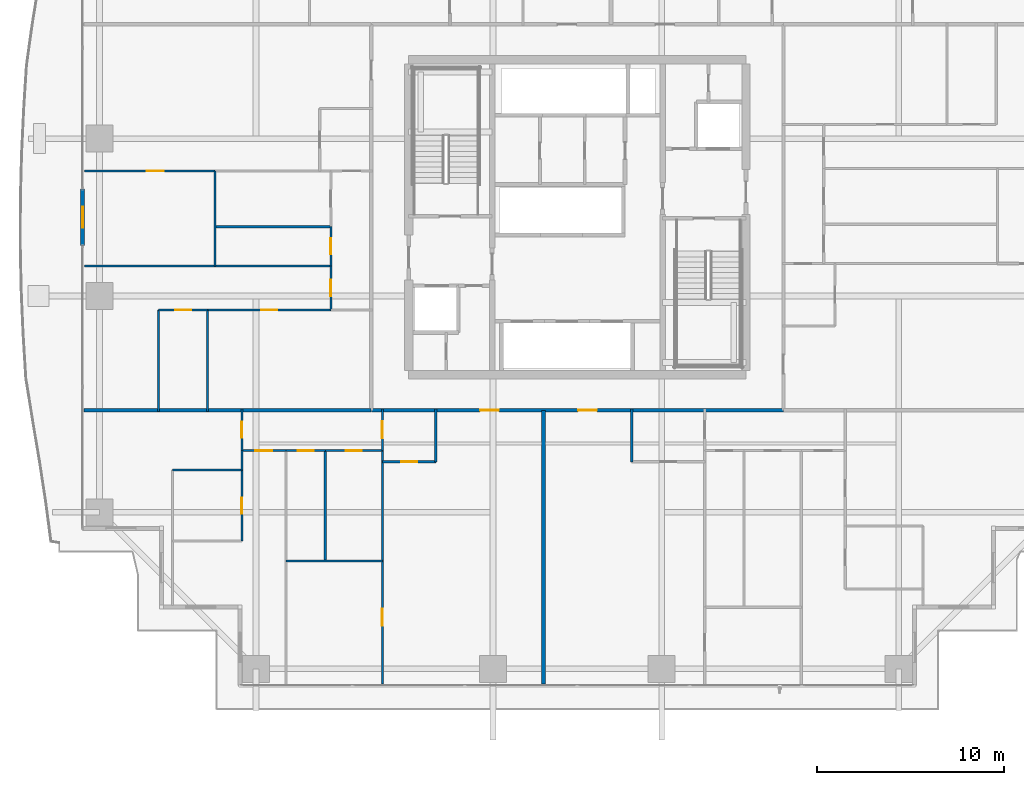
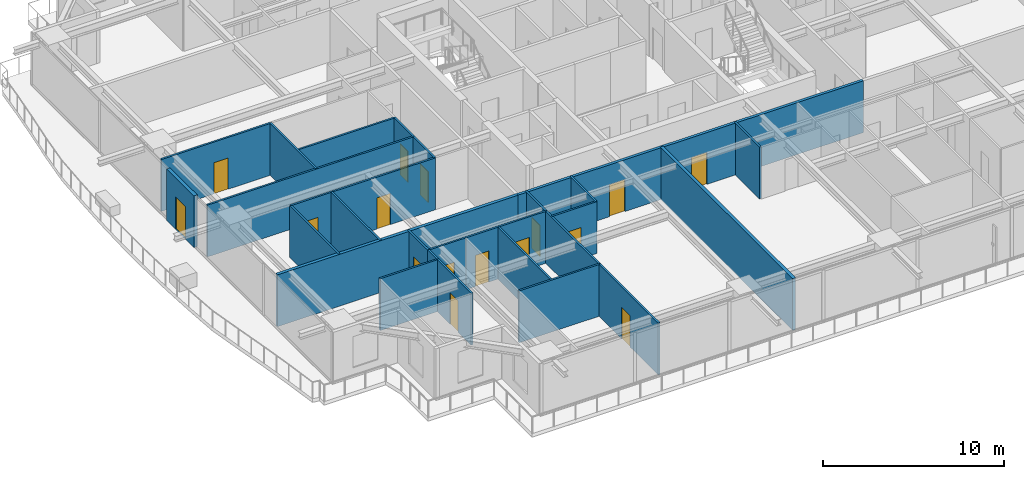
# One storey, part 23 of 36: 29 walls, 16 doors, 16 openings.
"""IFC4 building model written with IfcOpenShell, lengths in metres."""

from ifc_helpers import new_model, si_unit, direction, frame, frame_2d, origin, place, context, subcontext, project, spatial, rectangle, extrude, source, transform, mapped, material, layer, layer_set, type_object, element, fill, save


model = new_model("IFC4")

# Units and contexts
model_context = context("Model", 3, precision=1e-05, world=origin(), true_north=direction((0.0, 1.0)))
body_context = subcontext(model_context, "Body", "Model", "MODEL_VIEW")
ifc_project = project(units=[si_unit("LENGTHUNIT", "METRE"), si_unit("AREAUNIT", "SQUARE_METRE"), si_unit("VOLUMEUNIT", "CUBIC_METRE"), si_unit("PLANEANGLEUNIT", "RADIAN"), si_unit("MASSUNIT", "GRAM", prefix="KILO")], contexts=[model_context])

# Site, building, storey
site_placement = place(None, origin())
site = spatial("IfcSite", under=ifc_project, at=site_placement, CompositionType="ELEMENT")
building_placement = place(site_placement, origin())
building = spatial("IfcBuilding", under=site, at=building_placement, Name="Serunith Strait Residences", CompositionType="ELEMENT")
storey_placement = place(building_placement, frame((0.0, 0.0, 41.699951171875)))
storey = spatial("IfcBuildingStorey", under=building, at=storey_placement, Name="L09", CompositionType="ELEMENT", Elevation=41.699951171875)

# Wall, opening, door
ifc_material_1 = material(Name="Pale-Champagne Aluminium Insulated Panel", Category="aluminium")
ifc_layer_1 = layer(ifc_material_1, 0.219970703125, Name="Pale-Champagne Aluminium Insulated Panel")
ifc_layer_set_1 = layer_set([ifc_layer_1], Name="Pale-Champagne Aluminium Insulated Panel")
wall_type_1 = type_object("IfcWallType", Name="EW-ALUM-220", PredefinedType="ELEMENTEDWALL", material=ifc_layer_set_1)
wall_1_placement = place(storey_placement, frame((6.0, 26.699951171875, 0.0), z_axis=(0.0, 0.0, 1.0), x_axis=(0.0, -1.0, 0.0)))
wall_1 = element("IfcWall", 1, at=wall_1_placement, inside=storey, type_object=wall_type_1, Name="L09 W Facade Pier Wall", PredefinedType="ELEMENTEDWALL", context=body_context, shape_type="SweptSolid", body=[
    extrude(rectangle(XDim=3.0, YDim=0.219970703125, at=frame_2d((1.5, 0.0))), origin(), (0.0, 0.0, 1.0), 3.47509765625),
])
opening_1_placement = place(wall_1_placement, frame((0.949951171875, 0.0, 0.0)))
opening_1 = element("IfcOpeningElement", 2, at=opening_1_placement, cuts=wall_1, Name="Opening ED-03", PredefinedType="OPENING", context=body_context, shape_type="SweptSolid", body=[
    extrude(rectangle(XDim=1.10009765625, YDim=2.199951171875, at=frame_2d((0.550048828125, 1.10009765625))), frame((0.0, 0.1201171875, 0.0), z_axis=(0.0, -1.0, 0.0), x_axis=(1.0, 0.0, 0.0)), (0.0, 0.0, 1.0), 0.239990234375),
])
ifc_material_2 = material(Name="Thermally-Broken Aluminium Glazed Balcony Door", Category="aluminium")
door_type_1 = type_object("IfcDoorType", Name="ED-BALC-1100", OperationType="NOTDEFINED", PredefinedType="DOOR", material=ifc_material_2)
shared_shape_1 = source(origin(), body_context, "Body", "SweptSolid", [
    extrude(rectangle(XDim=1.10009765625, YDim=2.199951171875, at=frame_2d((0.550048828125, 1.10009765625))), frame((0.0, 0.02490234375, 0.0), z_axis=(0.0, -1.0, 0.0), x_axis=(1.0, 0.0, 0.0)), (0.0, 0.0, 1.0), 0.050048828125),
])
door_1_placement = place(opening_1_placement, origin())
door_1 = element("IfcDoor", 3, at=door_1_placement, inside=storey, type_object=door_type_1, Name="L09 W Vertical-Forest Balcony Door", OperationType="SINGLE_SWING_LEFT", OverallHeight=2.199951171875, OverallWidth=1.10009765625, PredefinedType="DOOR", context=body_context, shape_type="MappedRepresentation", body=[
    mapped(shared_shape_1, transform((0.0, 0.0, 0.0), scale=1.0)),
])
fill(opening_1, door_1)

# Wall, openings, doors
ifc_material_3 = material(Name="Fire-rated acoustic gypsum partition")
ifc_layer_2 = layer(ifc_material_3, 0.179931640625, Name="Fire-rated acoustic gypsum partition")
ifc_layer_set_2 = layer_set([ifc_layer_2], Name="Fire-rated acoustic gypsum partition")
wall_type_2 = type_object("IfcWallType", Name="IW-CORR-180", PredefinedType="PARTITIONING", material=ifc_layer_set_2)
wall_2_placement = place(storey_placement, frame((21.402099609375, 14.89990234375, 0.0), z_axis=(0.0, 0.0, 1.0), x_axis=(1.0, 0.0, 0.0)))
wall_2 = element("IfcWall", 4, at=wall_2_placement, inside=storey, type_object=wall_type_2, Name="L09 Partition Wall 023", PredefinedType="PARTITIONING", context=body_context, shape_type="SweptSolid", body=[
    extrude(rectangle(XDim=21.995849609375, YDim=0.179931640625, at=frame_2d((10.998046875, 0.0))), origin(), (0.0, 0.0, 1.0), 3.489990234375),
])
opening_2_placement = place(wall_2_placement, frame((5.81591796875, 0.0, 0.0)))
opening_2 = element("IfcOpeningElement", 5, at=opening_2_placement, cuts=wall_2, Name="Opening D-APT1000", PredefinedType="OPENING", context=body_context, shape_type="SweptSolid", body=[
    extrude(rectangle(XDim=1.0, YDim=2.14990234375, at=frame_2d((0.5, 1.074951171875))), frame((0.0, 0.10009765625, 0.0), z_axis=(0.0, -1.0, 0.0), x_axis=(1.0, 0.0, 0.0)), (0.0, 0.0, 1.0), 0.199951171875),
])
opening_3_placement = place(wall_2_placement, frame((11.0439453125, 0.0, 0.0)))
opening_3 = element("IfcOpeningElement", 6, at=opening_3_placement, cuts=wall_2, Name="Opening D-APT1000", PredefinedType="OPENING", context=body_context, shape_type="SweptSolid", body=[
    extrude(rectangle(XDim=1.0, YDim=2.14990234375, at=frame_2d((0.5, 1.074951171875))), frame((0.0, 0.10009765625, 0.0), z_axis=(0.0, -1.0, 0.0), x_axis=(1.0, 0.0, 0.0)), (0.0, 0.0, 1.0), 0.199951171875),
])
ifc_material_4 = material(Name="Solid timber engineered fire door", Category="wood")
door_type_2 = type_object("IfcDoorType", Name="ID-APT-1000", OperationType="NOTDEFINED", PredefinedType="DOOR", material=ifc_material_4)
shared_shape_2 = source(origin(), body_context, "Body", "SweptSolid", [
    extrude(rectangle(XDim=1.0, YDim=2.14990234375, at=frame_2d((0.5, 1.074951171875))), frame((0.0, 0.02490234375, 0.0), z_axis=(0.0, -1.0, 0.0), x_axis=(1.0, 0.0, 0.0)), (0.0, 0.0, 1.0), 0.050048828125),
])
door_2_placement = place(opening_2_placement, origin())
door_2 = element("IfcDoor", 7, at=door_2_placement, inside=storey, type_object=door_type_2, Name="L09 Unit 01 Entrance Door", OperationType="SINGLE_SWING_LEFT", OverallHeight=2.14990234375, OverallWidth=1.0, PredefinedType="DOOR", context=body_context, shape_type="MappedRepresentation", body=[
    mapped(shared_shape_2, transform((0.0, 0.0, 0.0), scale=1.0)),
])
fill(opening_2, door_2)
door_3_placement = place(opening_3_placement, origin())
door_3 = element("IfcDoor", 8, at=door_3_placement, inside=storey, type_object=door_type_2, Name="L09 Unit 02 Entrance Door", OperationType="SINGLE_SWING_RIGHT", OverallHeight=2.14990234375, OverallWidth=1.0, PredefinedType="DOOR", context=body_context, shape_type="MappedRepresentation", body=[
    mapped(shared_shape_2, transform((0.0, 0.0, 0.0), scale=1.0)),
])
fill(opening_3, door_3)

# Wall, opening, door
ifc_material_5 = material(Name="Lightweight steel-stud gypsum partition", Category="steel")
ifc_layer_3 = layer(ifc_material_5, 0.1201171875, Name="Lightweight steel-stud gypsum partition")
ifc_layer_set_3 = layer_set([ifc_layer_3], Name="Lightweight steel-stud gypsum partition")
wall_type_3 = type_object("IfcWallType", Name="IW-PART-120", PredefinedType="PARTITIONING", material=ifc_layer_set_3)
wall_3_placement = place(storey_placement, frame((22.0, 12.14990234375, 0.0), z_axis=(0.0, 0.0, 1.0), x_axis=(1.0, 0.0, 0.0)))
wall_3 = element("IfcWall", 9, at=wall_3_placement, inside=storey, type_object=wall_type_3, Name="L09 Partition Wall 027", PredefinedType="PARTITIONING", context=body_context, shape_type="SweptSolid", body=[
    extrude(rectangle(XDim=2.85009765625, YDim=0.1201171875, at=frame_2d((1.425048828125, 0.0))), origin(), (0.0, 0.0, 1.0), 3.489990234375),
])
opening_4_placement = place(wall_3_placement, frame((1.0, 0.0, 0.0)))
opening_4 = element("IfcOpeningElement", 10, at=opening_4_placement, cuts=wall_3, Name="Opening D-RM850", PredefinedType="OPENING", context=body_context, shape_type="SweptSolid", body=[
    extrude(rectangle(XDim=0.85009765625, YDim=2.10009765625, at=frame_2d((0.425048828125, 1.050048828125))), frame((0.0, 0.070068359375, 0.0), z_axis=(0.0, -1.0, 0.0), x_axis=(1.0, 0.0, 0.0)), (0.0, 0.0, 1.0), 0.14013671875),
])
ifc_material_6 = material(Name="Engineered timber flush study and kitchen door", Category="wood")
door_type_3 = type_object("IfcDoorType", Name="ID-ROOM-850", OperationType="NOTDEFINED", PredefinedType="DOOR", material=ifc_material_6)
shared_shape_3 = source(origin(), body_context, "Body", "SweptSolid", [
    extrude(rectangle(XDim=0.85009765625, YDim=2.10009765625, at=frame_2d((0.425048828125, 1.050048828125))), frame((0.0, 0.02490234375, 0.0), z_axis=(0.0, -1.0, 0.0), x_axis=(1.0, 0.0, 0.0)), (0.0, 0.0, 1.0), 0.050048828125),
])
door_4_placement = place(opening_4_placement, origin())
door_4 = element("IfcDoor", 11, at=door_4_placement, inside=storey, type_object=door_type_3, Name="L09 Kitchen 0901 Door", OperationType="SINGLE_SWING_LEFT", OverallHeight=2.10009765625, OverallWidth=0.85009765625, PredefinedType="DOOR", context=body_context, shape_type="MappedRepresentation", body=[
    mapped(shared_shape_3, transform((0.0, 0.0, 0.0), scale=1.0)),
])
fill(opening_4, door_4)

# Wall
wall_4_placement = place(storey_placement, frame((24.85009765625, 12.14990234375, 0.0), z_axis=(0.0, 0.0, 1.0), x_axis=(0.0, 1.0, 0.0)))
element("IfcWall", 12, at=wall_4_placement, inside=storey, type_object=wall_type_3, Name="L09 Partition Wall 028", PredefinedType="PARTITIONING", context=body_context, shape_type="SweptSolid", body=[
    extrude(rectangle(XDim=2.81005859375, YDim=0.1201171875, at=frame_2d((1.405029296875, 0.0))), origin(), (0.0, 0.0, 1.0), 3.489990234375),
])

# Wall, opening, door
wall_5_placement = place(storey_placement, frame((22.0, 12.75, 0.0), z_axis=(0.0, 0.0, 1.0), x_axis=(0.0, 1.0, 0.0)))
wall_5 = element("IfcWall", 13, at=wall_5_placement, inside=storey, type_object=wall_type_3, Name="L09 Partition Wall 029", PredefinedType="PARTITIONING", context=body_context, shape_type="SweptSolid", body=[
    extrude(rectangle(XDim=2.2099609375, YDim=0.1201171875, at=frame_2d((1.10498046875, 0.0))), origin(), (0.0, 0.0, 1.0), 3.489990234375),
])
opening_5_placement = place(wall_5_placement, frame((0.655029296875, 0.0, 0.0)))
opening_5 = element("IfcOpeningElement", 14, at=opening_5_placement, cuts=wall_5, Name="Opening D-RM900", PredefinedType="OPENING", context=body_context, shape_type="SweptSolid", body=[
    extrude(rectangle(XDim=0.89990234375, YDim=2.10009765625, at=frame_2d((0.449951171875, 1.050048828125))), frame((0.0, 0.070068359375, 0.0), z_axis=(0.0, -1.0, 0.0), x_axis=(1.0, 0.0, 0.0)), (0.0, 0.0, 1.0), 0.14013671875),
])
ifc_material_7 = material(Name="Engineered timber flush bedroom door", Category="wood")
door_type_4 = type_object("IfcDoorType", Name="ID-ROOM-900", OperationType="NOTDEFINED", PredefinedType="DOOR", material=ifc_material_7)
shared_shape_4 = source(origin(), body_context, "Body", "SweptSolid", [
    extrude(rectangle(XDim=0.89990234375, YDim=2.10009765625, at=frame_2d((0.449951171875, 1.050048828125))), frame((0.0, 0.02490234375, 0.0), z_axis=(0.0, -1.0, 0.0), x_axis=(1.0, 0.0, 0.0)), (0.0, 0.0, 1.0), 0.050048828125),
])
door_5_placement = place(opening_5_placement, origin())
door_5 = element("IfcDoor", 15, at=door_5_placement, inside=storey, type_object=door_type_4, Name="L09 Hall W 0901 Door", OperationType="SINGLE_SWING_RIGHT", OverallHeight=2.10009765625, OverallWidth=0.89990234375, PredefinedType="DOOR", context=body_context, shape_type="MappedRepresentation", body=[
    mapped(shared_shape_4, transform((0.0, 0.0, 0.0), scale=1.0)),
])
fill(opening_5, door_5)

wall_6_placement = place(storey_placement, frame((22.0, 0.294921875, 0.0), z_axis=(0.0, 0.0, 1.0), x_axis=(0.0, 1.0, 0.0)))
wall_6 = element("IfcWall", 16, at=wall_6_placement, inside=storey, type_object=wall_type_3, Name="L09 Partition Wall 030", PredefinedType="PARTITIONING", context=body_context, shape_type="SweptSolid", body=[
    extrude(rectangle(XDim=6.565185546875, YDim=0.1201171875, at=frame_2d((3.28271484375, 0.0))), origin(), (0.0, 0.0, 1.0), 3.489990234375),
])
opening_6_placement = place(wall_6_placement, frame((3.115966796875, 0.0, 0.0)))
opening_6 = element("IfcOpeningElement", 17, at=opening_6_placement, cuts=wall_6, Name="Opening D-RM900", PredefinedType="OPENING", context=body_context, shape_type="SweptSolid", body=[
    extrude(rectangle(XDim=0.89990234375, YDim=2.10009765625, at=frame_2d((0.449951171875, 1.050048828125))), frame((0.0, 0.070068359375, 0.0), z_axis=(0.0, -1.0, 0.0), x_axis=(1.0, 0.0, 0.0)), (0.0, 0.0, 1.0), 0.14013671875),
])
door_6_placement = place(opening_6_placement, origin())
door_6 = element("IfcDoor", 18, at=door_6_placement, inside=storey, type_object=door_type_4, Name="L09 Formal Dining Room 1 0901 Door", OperationType="SINGLE_SWING_LEFT", OverallHeight=2.10009765625, OverallWidth=0.89990234375, PredefinedType="DOOR", context=body_context, shape_type="MappedRepresentation", body=[
    mapped(shared_shape_4, transform((0.0, 0.0, 0.0), scale=1.0)),
])
fill(opening_6, door_6)

# Walls
wall_7_placement = place(storey_placement, frame((22.0, 6.862060546875, 0.0), z_axis=(0.0, 0.0, 1.0), x_axis=(0.0, 1.0, 0.0)))
element("IfcWall", 19, at=wall_7_placement, inside=storey, type_object=wall_type_3, Name="L09 Partition Wall 031", PredefinedType="PARTITIONING", context=body_context, shape_type="SweptSolid", body=[
    extrude(rectangle(XDim=5.885986328125, YDim=0.1201171875, at=frame_2d((2.94287109375, 0.0))), origin(), (0.0, 0.0, 1.0), 3.489990234375),
])
wall_8_placement = place(storey_placement, frame((16.85009765625, 6.860107421875, 0.0), z_axis=(0.0, 0.0, 1.0), x_axis=(1.0, 0.0, 0.0)))
element("IfcWall", 20, at=wall_8_placement, inside=storey, type_object=wall_type_3, Name="L09 Partition Wall 032", PredefinedType="PARTITIONING", context=body_context, shape_type="SweptSolid", body=[
    extrude(rectangle(XDim=5.14990234375, YDim=0.1201171875, at=frame_2d((2.574951171875, 0.0))), origin(), (0.0, 0.0, 1.0), 3.489990234375),
])
wall_9_placement = place(storey_placement, frame((18.949951171875, 6.860107421875, 0.0), z_axis=(0.0, 0.0, 1.0), x_axis=(0.0, 1.0, 0.0)))
element("IfcWall", 21, at=wall_9_placement, inside=storey, type_object=wall_type_3, Name="L09 Partition Wall 034", PredefinedType="PARTITIONING", context=body_context, shape_type="SweptSolid", body=[
    extrude(rectangle(XDim=5.889892578125, YDim=0.1201171875, at=frame_2d((2.94482421875, 0.0))), origin(), (0.0, 0.0, 1.0), 3.489990234375),
])

# Wall, opening, door
wall_10_placement = place(storey_placement, frame((16.85009765625, 12.75, 0.0), z_axis=(0.0, 0.0, 1.0), x_axis=(1.0, 0.0, 0.0)))
wall_10 = element("IfcWall", 22, at=wall_10_placement, inside=storey, type_object=wall_type_3, Name="L09 Partition Wall 035", PredefinedType="PARTITIONING", context=body_context, shape_type="SweptSolid", body=[
    extrude(rectangle(XDim=2.099853515625, YDim=0.1201171875, at=frame_2d((1.0498046875, 0.0))), origin(), (0.0, 0.0, 1.0), 3.489990234375),
])
opening_7_placement = place(wall_10_placement, frame((0.625, 0.0, 0.0)))
opening_7 = element("IfcOpeningElement", 23, at=opening_7_placement, cuts=wall_10, Name="Opening D-BTH850", PredefinedType="OPENING", context=body_context, shape_type="SweptSolid", body=[
    extrude(rectangle(XDim=0.85009765625, YDim=2.10009765625, at=frame_2d((0.425048828125, 1.050048828125))), frame((0.0, 0.070068359375, 0.0), z_axis=(0.0, -1.0, 0.0), x_axis=(1.0, 0.0, 0.0)), (0.0, 0.0, 1.0), 0.14013671875),
])
ifc_material_8 = material(Name="Moisture-resistant timber bathroom door", Category="wood")
door_type_5 = type_object("IfcDoorType", Name="ID-BATH-850", OperationType="NOTDEFINED", PredefinedType="DOOR", material=ifc_material_8)
door_7_placement = place(opening_7_placement, origin())
door_7 = element("IfcDoor", 24, at=door_7_placement, inside=storey, type_object=door_type_5, Name="L09 Bathroom 0901 Door", OperationType="SINGLE_SWING_RIGHT", OverallHeight=2.10009765625, OverallWidth=0.85009765625, PredefinedType="DOOR", context=body_context, shape_type="MappedRepresentation", body=[
    mapped(shared_shape_3, transform((0.0, 0.0, 0.0), scale=1.0)),
])
fill(opening_7, door_7)

wall_11_placement = place(storey_placement, frame((18.951904296875, 12.75, 0.0), z_axis=(0.0, 0.0, 1.0), x_axis=(1.0, 0.0, 0.0)))
wall_11 = element("IfcWall", 25, at=wall_11_placement, inside=storey, type_object=wall_type_3, Name="L09 Partition Wall 036", PredefinedType="PARTITIONING", context=body_context, shape_type="SweptSolid", body=[
    extrude(rectangle(XDim=3.048095703125, YDim=0.1201171875, at=frame_2d((1.52392578125, 0.0))), origin(), (0.0, 0.0, 1.0), 3.489990234375),
])
opening_8_placement = place(wall_11_placement, frame((1.09912109375, 0.0, 0.0)))
opening_8 = element("IfcOpeningElement", 26, at=opening_8_placement, cuts=wall_11, Name="Opening D-RM850", PredefinedType="OPENING", context=body_context, shape_type="SweptSolid", body=[
    extrude(rectangle(XDim=0.85009765625, YDim=2.10009765625, at=frame_2d((0.425048828125, 1.050048828125))), frame((0.0, 0.070068359375, 0.0), z_axis=(0.0, -1.0, 0.0), x_axis=(1.0, 0.0, 0.0)), (0.0, 0.0, 1.0), 0.14013671875),
])
door_8_placement = place(opening_8_placement, origin())
door_8 = element("IfcDoor", 27, at=door_8_placement, inside=storey, type_object=door_type_3, Name="L09 Formal Dining Room 0901 Door", OperationType="SINGLE_SWING_LEFT", OverallHeight=2.10009765625, OverallWidth=0.85009765625, PredefinedType="DOOR", context=body_context, shape_type="MappedRepresentation", body=[
    mapped(shared_shape_3, transform((0.0, 0.0, 0.0), scale=1.0)),
])
fill(opening_8, door_8)

wall_12_placement = place(storey_placement, frame((14.5, 12.75, 0.0), z_axis=(0.0, 0.0, 1.0), x_axis=(1.0, 0.0, 0.0)))
wall_12 = element("IfcWall", 28, at=wall_12_placement, inside=storey, type_object=wall_type_3, Name="L09 Partition Wall 037", PredefinedType="PARTITIONING", context=body_context, shape_type="SweptSolid", body=[
    extrude(rectangle(XDim=2.347900390625, YDim=0.1201171875, at=frame_2d((1.173828125, 0.0))), origin(), (0.0, 0.0, 1.0), 3.489990234375),
])
opening_9_placement = place(wall_12_placement, frame((0.72412109375, 0.0, 0.0)))
opening_9 = element("IfcOpeningElement", 29, at=opening_9_placement, cuts=wall_12, Name="Opening D-RM900", PredefinedType="OPENING", context=body_context, shape_type="SweptSolid", body=[
    extrude(rectangle(XDim=0.89990234375, YDim=2.10009765625, at=frame_2d((0.449951171875, 1.050048828125))), frame((0.0, 0.070068359375, 0.0), z_axis=(0.0, -1.0, 0.0), x_axis=(1.0, 0.0, 0.0)), (0.0, 0.0, 1.0), 0.14013671875),
])
door_9_placement = place(opening_9_placement, origin())
door_9 = element("IfcDoor", 30, at=door_9_placement, inside=storey, type_object=door_type_4, Name="L09 Master Bedroom W 0901 Door", OperationType="SINGLE_SWING_RIGHT", OverallHeight=2.10009765625, OverallWidth=0.89990234375, PredefinedType="DOOR", context=body_context, shape_type="MappedRepresentation", body=[
    mapped(shared_shape_4, transform((0.0, 0.0, 0.0), scale=1.0)),
])
fill(opening_9, door_9)

# Wall
wall_13_placement = place(storey_placement, frame((10.800048828125, 11.70703125, 0.0), z_axis=(0.0, 0.0, 1.0), x_axis=(1.0, 0.0, 0.0)))
element("IfcWall", 31, at=wall_13_placement, inside=storey, type_object=wall_type_3, Name="L09 Partition Wall 040", PredefinedType="PARTITIONING", context=body_context, shape_type="SweptSolid", body=[
    extrude(rectangle(XDim=3.699951171875, YDim=0.1201171875, at=frame_2d((1.85009765625, 0.0))), origin(), (0.0, 0.0, 1.0), 3.489990234375),
])

# Wall, opening, door
wall_14_placement = place(storey_placement, frame((14.5, 7.923095703125, 0.0), z_axis=(0.0, 0.0, 1.0), x_axis=(0.0, 1.0, 0.0)))
wall_14 = element("IfcWall", 32, at=wall_14_placement, inside=storey, type_object=wall_type_3, Name="L09 Partition Wall 041", PredefinedType="PARTITIONING", context=body_context, shape_type="SweptSolid", body=[
    extrude(rectangle(XDim=3.783935546875, YDim=0.1201171875, at=frame_2d((1.89208984375, 0.0))), origin(), (0.0, 0.0, 1.0), 3.489990234375),
])
opening_10_placement = place(wall_14_placement, frame((1.467041015625, 0.0, 0.0)))
opening_10 = element("IfcOpeningElement", 33, at=opening_10_placement, cuts=wall_14, Name="Opening D-BTH850", PredefinedType="OPENING", context=body_context, shape_type="SweptSolid", body=[
    extrude(rectangle(XDim=0.85009765625, YDim=2.10009765625, at=frame_2d((0.425048828125, 1.050048828125))), frame((0.0, 0.070068359375, 0.0), z_axis=(0.0, -1.0, 0.0), x_axis=(1.0, 0.0, 0.0)), (0.0, 0.0, 1.0), 0.14013671875),
])
door_10_placement = place(opening_10_placement, origin())
door_10 = element("IfcDoor", 34, at=door_10_placement, inside=storey, type_object=door_type_5, Name="L09 En-suite Bathroom W 0901 Door", OperationType="SINGLE_SWING_LEFT", OverallHeight=2.10009765625, OverallWidth=0.85009765625, PredefinedType="DOOR", context=body_context, shape_type="MappedRepresentation", body=[
    mapped(shared_shape_3, transform((0.0, 0.0, 0.0), scale=1.0)),
])
fill(opening_10, door_10)

# Wall
wall_15_placement = place(storey_placement, frame((14.5, 11.708984375, 0.0), z_axis=(0.0, 0.0, 1.0), x_axis=(0.0, 1.0, 0.0)))
element("IfcWall", 35, at=wall_15_placement, inside=storey, type_object=wall_type_3, Name="L09 Partition Wall 042", PredefinedType="PARTITIONING", context=body_context, shape_type="SweptSolid", body=[
    extrude(rectangle(XDim=1.041015625, YDim=0.1201171875, at=frame_2d((0.5205078125, 0.0))), origin(), (0.0, 0.0, 1.0), 3.489990234375),
])

# Wall, opening, door
wall_16_placement = place(storey_placement, frame((14.5, 12.751953125, 0.0), z_axis=(0.0, 0.0, 1.0), x_axis=(0.0, 1.0, 0.0)))
wall_16 = element("IfcWall", 36, at=wall_16_placement, inside=storey, type_object=wall_type_3, Name="L09 Partition Wall 043", PredefinedType="PARTITIONING", context=body_context, shape_type="SweptSolid", body=[
    extrude(rectangle(XDim=2.2080078125, YDim=0.1201171875, at=frame_2d((1.10400390625, 0.0))), origin(), (0.0, 0.0, 1.0), 3.489990234375),
])
opening_11_placement = place(wall_16_placement, frame((0.678955078125, 0.0, 0.0)))
opening_11 = element("IfcOpeningElement", 37, at=opening_11_placement, cuts=wall_16, Name="Opening D-RM850", PredefinedType="OPENING", context=body_context, shape_type="SweptSolid", body=[
    extrude(rectangle(XDim=0.85009765625, YDim=2.10009765625, at=frame_2d((0.425048828125, 1.050048828125))), frame((0.0, 0.070068359375, 0.0), z_axis=(0.0, -1.0, 0.0), x_axis=(1.0, 0.0, 0.0)), (0.0, 0.0, 1.0), 0.14013671875),
])
door_11_placement = place(opening_11_placement, origin())
door_11 = element("IfcDoor", 38, at=door_11_placement, inside=storey, type_object=door_type_3, Name="L09 Wardrobe W 0901 Door", OperationType="SINGLE_SWING_RIGHT", OverallHeight=2.10009765625, OverallWidth=0.85009765625, PredefinedType="DOOR", context=body_context, shape_type="MappedRepresentation", body=[
    mapped(shared_shape_3, transform((0.0, 0.0, 0.0), scale=1.0)),
])
fill(opening_11, door_11)

# Wall
wall_17_placement = place(storey_placement, frame((35.300048828125, 12.14990234375, 0.0), z_axis=(0.0, 0.0, 1.0), x_axis=(0.0, 1.0, 0.0)))
element("IfcWall", 39, at=wall_17_placement, inside=storey, type_object=wall_type_3, Name="L09 Partition Wall 045", PredefinedType="PARTITIONING", context=body_context, shape_type="SweptSolid", body=[
    extrude(rectangle(XDim=2.81005859375, YDim=0.1201171875, at=frame_2d((1.405029296875, 0.0))), origin(), (0.0, 0.0, 1.0), 3.489990234375),
])

# Wall, opening, door
wall_18_placement = place(storey_placement, frame((6.094970703125, 27.669921875, 0.0), z_axis=(0.0, 0.0, 1.0), x_axis=(1.0, 0.0, 0.0)))
wall_18 = element("IfcWall", 40, at=wall_18_placement, inside=storey, type_object=wall_type_3, Name="L09 Partition Wall 098", PredefinedType="PARTITIONING", context=body_context, shape_type="SweptSolid", body=[
    extrude(rectangle(XDim=6.964111328125, YDim=0.1201171875, at=frame_2d((3.48193359375, 0.0))), origin(), (0.0, 0.0, 1.0), 3.489990234375),
])
opening_12_placement = place(wall_18_placement, frame((3.3349609375, 0.0, 0.0)))
opening_12 = element("IfcOpeningElement", 41, at=opening_12_placement, cuts=wall_18, Name="Opening D-RM900", PredefinedType="OPENING", context=body_context, shape_type="SweptSolid", body=[
    extrude(rectangle(XDim=0.89990234375, YDim=2.10009765625, at=frame_2d((0.449951171875, 1.050048828125))), frame((0.0, 0.070068359375, 0.0), z_axis=(0.0, -1.0, 0.0), x_axis=(1.0, 0.0, 0.0)), (0.0, 0.0, 1.0), 0.14013671875),
])
door_12_placement = place(opening_12_placement, origin())
door_12 = element("IfcDoor", 42, at=door_12_placement, inside=storey, type_object=door_type_4, Name="L09 Formal Dining Room 1 0905 Door", OperationType="SINGLE_SWING_LEFT", OverallHeight=2.10009765625, OverallWidth=0.89990234375, PredefinedType="DOOR", context=body_context, shape_type="MappedRepresentation", body=[
    mapped(shared_shape_4, transform((0.0, 0.0, 0.0), scale=1.0)),
])
fill(opening_12, door_12)

# Walls
wall_19_placement = place(storey_placement, frame((13.05908203125, 22.60009765625, 0.0), z_axis=(0.0, 0.0, 1.0), x_axis=(0.0, 1.0, 0.0)))
element("IfcWall", 43, at=wall_19_placement, inside=storey, type_object=wall_type_3, Name="L09 Partition Wall 100", PredefinedType="PARTITIONING", context=body_context, shape_type="SweptSolid", body=[
    extrude(rectangle(XDim=5.06982421875, YDim=0.1201171875, at=frame_2d((2.534912109375, 0.0))), origin(), (0.0, 0.0, 1.0), 3.489990234375),
])
wall_20_placement = place(storey_placement, frame((6.094970703125, 22.60009765625, 0.0), z_axis=(0.0, 0.0, 1.0), x_axis=(1.0, 0.0, 0.0)))
element("IfcWall", 44, at=wall_20_placement, inside=storey, type_object=wall_type_3, Name="L09 Partition Wall 101", PredefinedType="PARTITIONING", context=body_context, shape_type="SweptSolid", body=[
    extrude(rectangle(XDim=13.155029296875, YDim=0.1201171875, at=frame_2d((6.57763671875, 0.0))), origin(), (0.0, 0.0, 1.0), 3.489990234375),
])
wall_21_placement = place(storey_placement, frame((13.05908203125, 24.699951171875, 0.0), z_axis=(0.0, 0.0, 1.0), x_axis=(1.0, 0.0, 0.0)))
element("IfcWall", 45, at=wall_21_placement, inside=storey, type_object=wall_type_3, Name="L09 Partition Wall 102", PredefinedType="PARTITIONING", context=body_context, shape_type="SweptSolid", body=[
    extrude(rectangle(XDim=6.19091796875, YDim=0.1201171875, at=frame_2d((3.095458984375, 0.0))), origin(), (0.0, 0.0, 1.0), 3.489990234375),
])

# Wall, opening, door
wall_22_placement = place(storey_placement, frame((19.25, 22.60009765625, 0.0), z_axis=(0.0, 0.0, 1.0), x_axis=(0.0, 1.0, 0.0)))
wall_22 = element("IfcWall", 46, at=wall_22_placement, inside=storey, type_object=wall_type_3, Name="L09 Partition Wall 103", PredefinedType="PARTITIONING", context=body_context, shape_type="SweptSolid", body=[
    extrude(rectangle(XDim=2.099853515625, YDim=0.1201171875, at=frame_2d((1.0498046875, 0.0))), origin(), (0.0, 0.0, 1.0), 3.489990234375),
])
opening_13_placement = place(wall_22_placement, frame((0.625, 0.0, 0.0)))
opening_13 = element("IfcOpeningElement", 47, at=opening_13_placement, cuts=wall_22, Name="Opening D-BTH850", PredefinedType="OPENING", context=body_context, shape_type="SweptSolid", body=[
    extrude(rectangle(XDim=0.85009765625, YDim=2.10009765625, at=frame_2d((0.425048828125, 1.050048828125))), frame((0.0, 0.070068359375, 0.0), z_axis=(0.0, -1.0, 0.0), x_axis=(1.0, 0.0, 0.0)), (0.0, 0.0, 1.0), 0.14013671875),
])
door_13_placement = place(opening_13_placement, origin())
door_13 = element("IfcDoor", 48, at=door_13_placement, inside=storey, type_object=door_type_5, Name="L09 Bathroom 0905 Door", OperationType="SINGLE_SWING_RIGHT", OverallHeight=2.10009765625, OverallWidth=0.85009765625, PredefinedType="DOOR", context=body_context, shape_type="MappedRepresentation", body=[
    mapped(shared_shape_3, transform((0.0, 0.0, 0.0), scale=1.0)),
])
fill(opening_13, door_13)

wall_23_placement = place(storey_placement, frame((19.25, 20.25, 0.0), z_axis=(0.0, 0.0, 1.0), x_axis=(0.0, 1.0, 0.0)))
wall_23 = element("IfcWall", 49, at=wall_23_placement, inside=storey, type_object=wall_type_3, Name="L09 Partition Wall 105", PredefinedType="PARTITIONING", context=body_context, shape_type="SweptSolid", body=[
    extrude(rectangle(XDim=2.347900390625, YDim=0.1201171875, at=frame_2d((1.173828125, 0.0))), origin(), (0.0, 0.0, 1.0), 3.489990234375),
])
opening_14_placement = place(wall_23_placement, frame((0.72412109375, 0.0, 0.0)))
opening_14 = element("IfcOpeningElement", 50, at=opening_14_placement, cuts=wall_23, Name="Opening D-RM900", PredefinedType="OPENING", context=body_context, shape_type="SweptSolid", body=[
    extrude(rectangle(XDim=0.89990234375, YDim=2.10009765625, at=frame_2d((0.449951171875, 1.050048828125))), frame((0.0, 0.070068359375, 0.0), z_axis=(0.0, -1.0, 0.0), x_axis=(1.0, 0.0, 0.0)), (0.0, 0.0, 1.0), 0.14013671875),
])
door_14_placement = place(opening_14_placement, origin())
door_14 = element("IfcDoor", 51, at=door_14_placement, inside=storey, type_object=door_type_4, Name="L09 Master Bedroom W 0905 Door", OperationType="SINGLE_SWING_RIGHT", OverallHeight=2.10009765625, OverallWidth=0.89990234375, PredefinedType="DOOR", context=body_context, shape_type="MappedRepresentation", body=[
    mapped(shared_shape_4, transform((0.0, 0.0, 0.0), scale=1.0)),
])
fill(opening_14, door_14)

# Walls
for number, where, z_axis, x_axis, name in (
    (52, (10.050048828125, 14.840087890625, 0.0), (0.0, 0.0, 1.0), (0.0, 1.0, 0.0), "L09 Partition Wall 106"),
    (53, (12.6669921875, 14.840087890625, 0.0), (0.0, 0.0, 1.0), (0.0, 1.0, 0.0), "L09 Partition Wall 107"),
):
    element("IfcWall", number, at=place(storey_placement, frame(where, z_axis=z_axis, x_axis=x_axis)), inside=storey, type_object=wall_type_3, Name=name, PredefinedType="PARTITIONING", context=body_context, shape_type="SweptSolid", body=[
        extrude(rectangle(XDim=5.409912109375, YDim=0.1201171875, at=frame_2d((2.705078125, 0.0))), origin(), (0.0, 0.0, 1.0), 3.489990234375),
    ])

# Wall, opening, door
wall_24_placement = place(storey_placement, frame((10.050048828125, 20.25, 0.0), z_axis=(0.0, 0.0, 1.0), x_axis=(1.0, 0.0, 0.0)))
wall_24 = element("IfcWall", 54, at=wall_24_placement, inside=storey, type_object=wall_type_3, Name="L09 Partition Wall 108", PredefinedType="PARTITIONING", context=body_context, shape_type="SweptSolid", body=[
    extrude(rectangle(XDim=2.616943359375, YDim=0.1201171875, at=frame_2d((1.30859375, 0.0))), origin(), (0.0, 0.0, 1.0), 3.489990234375),
])
opening_15_placement = place(wall_24_placement, frame((0.883056640625, 0.0, 0.0)))
opening_15 = element("IfcOpeningElement", 55, at=opening_15_placement, cuts=wall_24, Name="Opening D-BTH850", PredefinedType="OPENING", context=body_context, shape_type="SweptSolid", body=[
    extrude(rectangle(XDim=0.85009765625, YDim=2.10009765625, at=frame_2d((0.425048828125, 1.050048828125))), frame((0.0, 0.070068359375, 0.0), z_axis=(0.0, -1.0, 0.0), x_axis=(1.0, 0.0, 0.0)), (0.0, 0.0, 1.0), 0.14013671875),
])
door_15_placement = place(opening_15_placement, origin())
door_15 = element("IfcDoor", 56, at=door_15_placement, inside=storey, type_object=door_type_5, Name="L09 En-suite Bathroom W 0905 Door", OperationType="SINGLE_SWING_LEFT", OverallHeight=2.10009765625, OverallWidth=0.85009765625, PredefinedType="DOOR", context=body_context, shape_type="MappedRepresentation", body=[
    mapped(shared_shape_3, transform((0.0, 0.0, 0.0), scale=1.0)),
])
fill(opening_15, door_15)

wall_25_placement = place(storey_placement, frame((12.6689453125, 20.25, 0.0), z_axis=(0.0, 0.0, 1.0), x_axis=(1.0, 0.0, 0.0)))
wall_25 = element("IfcWall", 57, at=wall_25_placement, inside=storey, type_object=wall_type_3, Name="L09 Partition Wall 109", PredefinedType="PARTITIONING", context=body_context, shape_type="SweptSolid", body=[
    extrude(rectangle(XDim=6.5810546875, YDim=0.1201171875, at=frame_2d((3.29052734375, 0.0))), origin(), (0.0, 0.0, 1.0), 3.489990234375),
])
opening_16_placement = place(wall_25_placement, frame((2.864990234375, 0.0, 0.0)))
opening_16 = element("IfcOpeningElement", 58, at=opening_16_placement, cuts=wall_25, Name="Opening D-RM850", PredefinedType="OPENING", context=body_context, shape_type="SweptSolid", body=[
    extrude(rectangle(XDim=0.85009765625, YDim=2.10009765625, at=frame_2d((0.425048828125, 1.050048828125))), frame((0.0, 0.070068359375, 0.0), z_axis=(0.0, -1.0, 0.0), x_axis=(1.0, 0.0, 0.0)), (0.0, 0.0, 1.0), 0.14013671875),
])
door_16_placement = place(opening_16_placement, origin())
door_16 = element("IfcDoor", 59, at=door_16_placement, inside=storey, type_object=door_type_3, Name="L09 Wardrobe W 0905 Door", OperationType="SINGLE_SWING_RIGHT", OverallHeight=2.10009765625, OverallWidth=0.85009765625, PredefinedType="DOOR", context=body_context, shape_type="MappedRepresentation", body=[
    mapped(shared_shape_3, transform((0.0, 0.0, 0.0), scale=1.0)),
])
fill(opening_16, door_16)

# Walls
ifc_material_9 = material(Name="Twin-stud acoustic gypsum board partition")
ifc_layer_4 = layer(ifc_material_9, 0.199951171875, Name="Twin-stud acoustic gypsum board partition")
ifc_layer_set_4 = layer_set([ifc_layer_4], Name="Twin-stud acoustic gypsum board partition")
wall_type_4 = type_object("IfcWallType", Name="IW-PARTY-200", PredefinedType="PARTITIONING", material=ifc_layer_set_4)
wall_26_placement = place(storey_placement, frame((30.60009765625, 0.281982421875, 0.0), z_axis=(0.0, 0.0, 1.0), x_axis=(0.0, 1.0, 0.0)))
element("IfcWall", 60, at=wall_26_placement, inside=storey, type_object=wall_type_4, Name="L09 Partition Wall 017", PredefinedType="PARTITIONING", context=body_context, shape_type="SweptSolid", body=[
    extrude(rectangle(XDim=14.617919921875, YDim=0.199951171875, at=frame_2d((7.30908203125, 0.0))), origin(), (0.0, 0.0, 1.0), 3.489990234375),
])
wall_27_placement = place(storey_placement, frame((6.08203125, 14.89990234375, 0.0), z_axis=(0.0, 0.0, 1.0), x_axis=(1.0, 0.0, 0.0)))
element("IfcWall", 61, at=wall_27_placement, inside=storey, type_object=wall_type_4, Name="L09 Partition Wall 019", PredefinedType="PARTITIONING", context=body_context, shape_type="SweptSolid", body=[
    extrude(rectangle(XDim=15.31787109375, YDim=0.199951171875, at=frame_2d((7.658935546875, 0.0))), origin(), (0.0, 0.0, 1.0), 3.489990234375),
])

save(model, "model.ifc")
